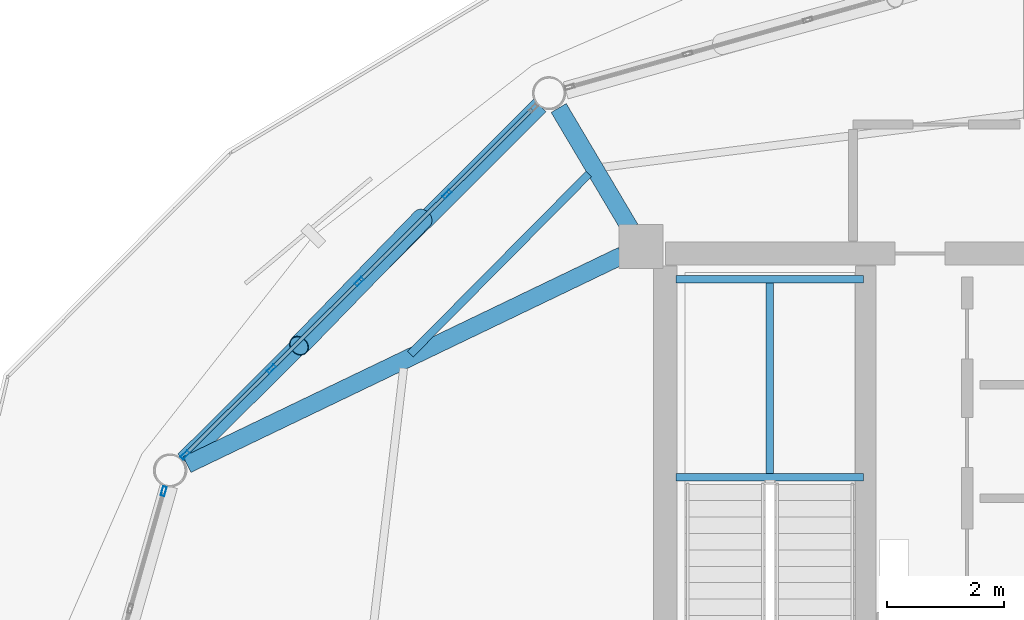
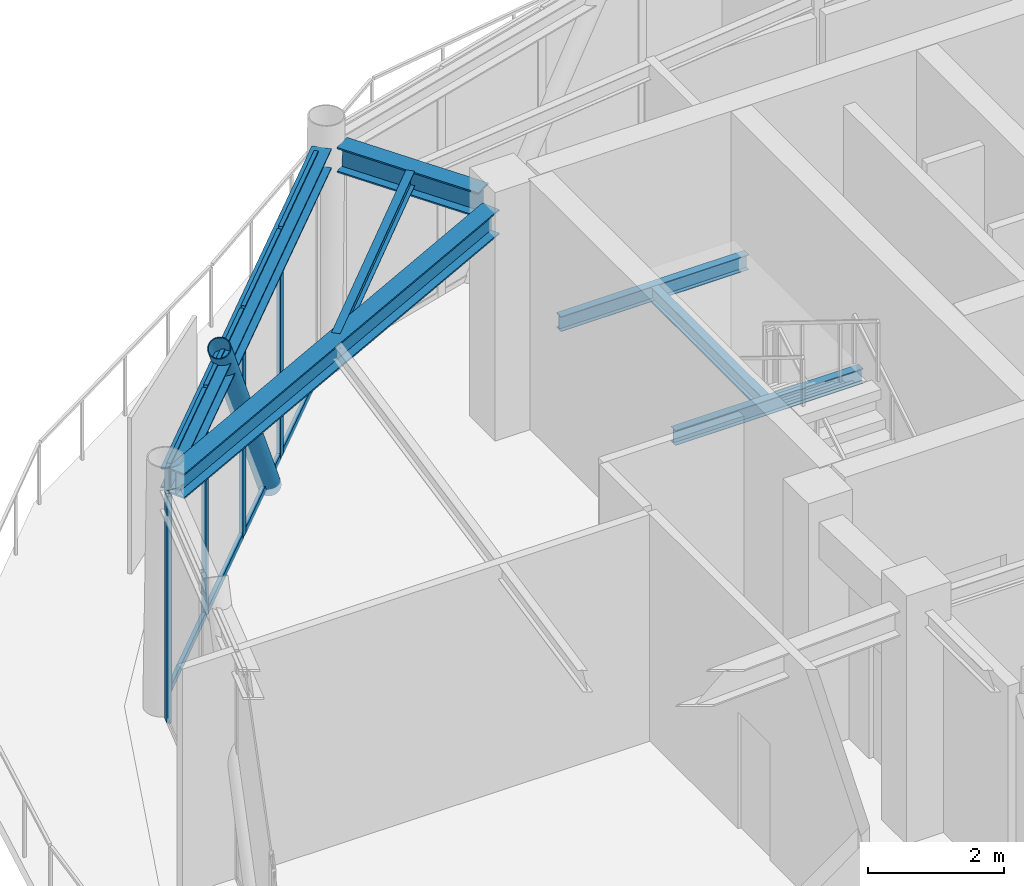
# One storey, part 11 of 24: 14 members, 7 beams, 2 elements without a shape of their own.
"""IFC4 building model written with IfcOpenShell, lengths in metres."""

from ifc_helpers import new_model, si_unit, direction, frame, origin, origin_2d, place, context, subcontext, project, spatial, hollow_rectangle, hollow_circle, i_section, extrude, material, layer, layer_set, material_profile, profile_set, type_object, element, aggregate, save


model = new_model("IFC4")

# Units and contexts
model_context = context("Model", 3, precision=1e-05, world=origin(), true_north=direction((0.0, 1.0)))
body_context = subcontext(model_context, "Body", "Model", "MODEL_VIEW")
ifc_project = project(units=[si_unit("LENGTHUNIT", "METRE"), si_unit("AREAUNIT", "SQUARE_METRE"), si_unit("VOLUMEUNIT", "CUBIC_METRE"), si_unit("PLANEANGLEUNIT", "RADIAN"), si_unit("MASSUNIT", "GRAM", prefix="KILO")], contexts=[model_context])

# Site, building, storey
site_placement = place(None, origin())
site = spatial("IfcSite", under=ifc_project, at=site_placement, CompositionType="ELEMENT")
building_placement = place(site_placement, origin())
building = spatial("IfcBuilding", under=site, at=building_placement, Name="Varnakorn Sky Granary", CompositionType="ELEMENT")
storey_placement = place(building_placement, frame((0.0, 0.0, 285.0)))
storey = spatial("IfcBuildingStorey", under=building, at=storey_placement, Name="L73", CompositionType="ELEMENT", Elevation=285.0)

# Beams
ifc_material_1 = material(Name="Steel S355JR", Category="steel")
ifc_material_profile_1 = material_profile(ifc_material_1, i_section(OverallWidth=0.135009765625, OverallDepth=0.27001953125, WebThickness=0.006591796875, FlangeThickness=0.01025390625, at=origin_2d()), Name="IPE 270")
ifc_profile_set_1 = profile_set([ifc_material_profile_1], Name="Steel S355JR")
beam_type_1 = type_object("IfcBeamType", Name="BM-LND-270", PredefinedType="BEAM", material=ifc_profile_set_1)
for number, where, z_axis, x_axis, name in (
    (1, (-1.820068359375, 8.679931640625, 1.9150390625), (1.0, 0.0, 0.0), (0.0, 1.0, 0.0), "Stair ST-1 Landing Trimmer Beam A L73-1"),
    (2, (-1.820068359375, 12.06005859375, 1.9150390625), (1.0, 0.0, 0.0), (0.0, 1.0, 0.0), "Stair ST-1 Landing Trimmer Beam B L73-1"),
):
    element("IfcBeam", number, at=place(storey_placement, frame(where, z_axis=z_axis, x_axis=x_axis)), inside=storey, type_object=beam_type_1, Name=name, PredefinedType="BEAM", context=body_context, shape_type="SweptSolid", body=[
        extrude(i_section(OverallWidth=0.135009765625, OverallDepth=0.27001953125, WebThickness=0.006591796875, FlangeThickness=0.01025390625, at=origin_2d()), origin(), (0.0, 0.0, 1.0), 3.199951171875),
    ])
beam_1_placement = place(storey_placement, frame((-0.219970703125, 8.679931640625, 1.9150390625), z_axis=(0.0, 1.0, 0.0), x_axis=(-1.0, 0.0, 0.0)))
element("IfcBeam", 3, at=beam_1_placement, inside=storey, type_object=beam_type_1, Name="Stair ST-1 Landing Cross Beam C L73-1", PredefinedType="BEAM", context=body_context, shape_type="SweptSolid", body=[
    extrude(i_section(OverallWidth=0.135009765625, OverallDepth=0.27001953125, WebThickness=0.006591796875, FlangeThickness=0.01025390625, at=origin_2d()), origin(), (0.0, 0.0, 1.0), 3.380126953125),
])
ifc_material_profile_2 = material_profile(ifc_material_1, i_section(OverallWidth=0.300048828125, OverallDepth=0.449951171875, WebThickness=0.013916015625, FlangeThickness=0.02587890625, at=origin_2d()), Name="HE 450 B")
ifc_profile_set_2 = profile_set([ifc_material_profile_2], Name="Steel S355JR")
beam_type_2 = type_object("IfcBeamType", Name="BM-RAD-Z5", PredefinedType="BEAM", material=ifc_profile_set_2)
beam_2_placement = place(storey_placement, frame((-2.60107421875, 12.92529296875, 3.85498046875), z_axis=(-0.510230042301, 0.860037966565, 0.0), x_axis=(-0.860037966565, -0.510230042301, 0.0)))
element("IfcBeam", 4, at=beam_2_placement, inside=storey, type_object=beam_type_2, Name="Radial Floor Girder RG05 L73", PredefinedType="BEAM", context=body_context, shape_type="SweptSolid", body=[
    extrude(i_section(OverallWidth=0.300048828125, OverallDepth=0.449951171875, WebThickness=0.013916015625, FlangeThickness=0.02587890625, at=origin_2d()), origin(), (0.0, 0.0, 1.0), 2.393798828125),
])
beam_3_placement = place(storey_placement, frame((-2.739990234375, 12.46630859375, 3.85498046875), z_axis=(-0.901316276424, -0.433161597851, 0.0), x_axis=(0.433161597851, -0.901316276424, 0.0)))
element("IfcBeam", 5, at=beam_3_placement, inside=storey, type_object=beam_type_2, Name="Radial Floor Girder RG06 L73", PredefinedType="BEAM", context=body_context, shape_type="SweptSolid", body=[
    extrude(i_section(OverallWidth=0.300048828125, OverallDepth=0.449951171875, WebThickness=0.013916015625, FlangeThickness=0.02587890625, at=origin_2d()), origin(), (0.0, 0.0, 1.0), 8.23974609375),
])
ifc_material_profile_3 = material_profile(ifc_material_1, i_section(OverallWidth=0.135009765625, OverallDepth=0.27001953125, WebThickness=0.006591796875, FlangeThickness=0.01025390625, at=origin_2d()), Name="IPE 270")
ifc_profile_set_3 = profile_set([ifc_material_profile_3], Name="Steel S355JR")
beam_type_3 = type_object("IfcBeamType", Name="BM-SEC-Z5", PredefinedType="BEAM", material=ifc_profile_set_3)
beam_4_placement = place(storey_placement, frame((-3.310302734375, 13.855224609375, 3.945068359375), z_axis=(-0.70365629949, -0.710540507071, 0.0), x_axis=(0.710540507071, -0.70365629949, 0.0)))
element("IfcBeam", 6, at=beam_4_placement, inside=storey, type_object=beam_type_3, Name="Secondary Floor Chord Beam MSB05 L73", PredefinedType="BEAM", context=body_context, shape_type="SweptSolid", body=[
    extrude(i_section(OverallWidth=0.135009765625, OverallDepth=0.27001953125, WebThickness=0.006591796875, FlangeThickness=0.01025390625, at=origin_2d()), origin(), (0.0, 0.0, 1.0), 4.32666015625),
])
ifc_material_profile_4 = material_profile(ifc_material_1, i_section(OverallWidth=0.300048828125, OverallDepth=0.360107421875, WebThickness=0.012451171875, FlangeThickness=0.0224609375, at=origin_2d()), Name="HE 360 B")
ifc_profile_set_4 = profile_set([ifc_material_profile_4], Name="Steel S355JR")
beam_type_4 = type_object("IfcBeamType", Name="BM-SPD-Z5", PredefinedType="SPANDREL", material=ifc_profile_set_4)
beam_5_placement = place(storey_placement, frame((-4.144775390625, 15.02490234375, 3.89990234375), z_axis=(-0.708116637558, -0.706095480522, 0.0), x_axis=(0.706095480522, -0.708116637558, 0.0)))
element("IfcBeam", 7, at=beam_5_placement, inside=storey, type_object=beam_type_4, Name="Perimeter Spandrel Ring Beam RB05 L73", PredefinedType="SPANDREL", context=body_context, shape_type="SweptSolid", body=[
    extrude(i_section(OverallWidth=0.300048828125, OverallDepth=0.360107421875, WebThickness=0.012451171875, FlangeThickness=0.0224609375, at=origin_2d()), origin(), (0.0, 0.0, 1.0), 8.576171875),
])

# Curtain wall, members
ifc_material_2 = material(Name="Anodised Bronze Aluminium Alloy 6063-T6", Category="aluminium")
ifc_layer = layer(ifc_material_2, 0.159912109375, Name="Anodised Bronze Aluminium Alloy 6063-T6")
ifc_layer_set = layer_set([ifc_layer], Name="Anodised Bronze Aluminium Alloy 6063-T6")
curtain_wall_type = type_object("IfcCurtainWallType", Name="CW-OFF-1", PredefinedType="USERDEFINED", material=ifc_layer_set)
curtain_wall_1_placement = place(storey_placement, origin())
curtain_wall_1 = element("IfcCurtainWall", 8, at=curtain_wall_1_placement, inside=storey, type_object=curtain_wall_type, Name="Unitised Curtain Wall CW6 CW-L73-B05", ObjectType="CURTAIN WALL", PredefinedType="USERDEFINED")
ifc_material_profile_5 = material_profile(ifc_material_2, hollow_rectangle(XDim=0.06494140625, YDim=0.159912109375, WallThickness=0.00341796875, at=origin_2d()), Name="ALU MULL 65x160")
ifc_profile_set_5 = profile_set([ifc_material_profile_5], Name="Anodised Bronze Aluminium Alloy 6063-T6")
member_type_1 = type_object("IfcMemberType", Name="CW-OFF-1-MULL", PredefinedType="MULLION", material=ifc_profile_set_5)
member_1_placement = place(storey_placement, frame((-10.2001953125, 9.06201171875, 0.0), z_axis=(0.0, 0.0, 1.0), x_axis=(-0.705418921213, 0.708790621831, 0.0)))
member_1 = element("IfcMember", 9, at=member_1_placement, type_object=member_type_1, Name="CW6 mullion 1", PredefinedType="MULLION", context=body_context, shape_type="SweptSolid", body=[
    extrude(hollow_rectangle(XDim=0.06494140625, YDim=0.159912109375, WallThickness=0.00341796875, at=origin_2d()), origin(), (0.0, 0.0, 1.0), 4.080078125),
])
member_2_placement = place(storey_placement, frame((-8.7255859375, 10.52978515625, 0.0), z_axis=(0.0, 0.0, 1.0), x_axis=(-0.705418921213, 0.708790621831, 0.0)))
member_2 = element("IfcMember", 10, at=member_2_placement, type_object=member_type_1, Name="CW6 mullion 2", PredefinedType="MULLION", context=body_context, shape_type="SweptSolid", body=[
    extrude(hollow_rectangle(XDim=0.06494140625, YDim=0.159912109375, WallThickness=0.00341796875, at=origin_2d()), origin(), (0.0, 0.0, 1.0), 4.080078125),
])
member_3_placement = place(storey_placement, frame((-7.227783203125, 12.020263671875, 0.0), z_axis=(0.0, 0.0, 1.0), x_axis=(-0.705418921213, 0.708790621831, 0.0)))
member_3 = element("IfcMember", 11, at=member_3_placement, type_object=member_type_1, Name="CW6 mullion 3", PredefinedType="MULLION", context=body_context, shape_type="SweptSolid", body=[
    extrude(hollow_rectangle(XDim=0.06494140625, YDim=0.159912109375, WallThickness=0.00341796875, at=origin_2d()), origin(), (0.0, 0.0, 1.0), 4.080078125),
])
member_4_placement = place(storey_placement, frame((-5.72998046875, 13.510986328125, 0.0), z_axis=(0.0, 0.0, 1.0), x_axis=(-0.705418921213, 0.708790621831, 0.0)))
member_4 = element("IfcMember", 12, at=member_4_placement, type_object=member_type_1, Name="CW6 mullion 4", PredefinedType="MULLION", context=body_context, shape_type="SweptSolid", body=[
    extrude(hollow_rectangle(XDim=0.06494140625, YDim=0.159912109375, WallThickness=0.00341796875, at=origin_2d()), origin(), (0.0, 0.0, 1.0), 4.080078125),
])

# Curtain wall, member
curtain_wall_2_placement = place(storey_placement, origin())
curtain_wall_2 = element("IfcCurtainWall", 13, at=curtain_wall_2_placement, inside=storey, type_object=curtain_wall_type, Name="Unitised Curtain Wall CW6 CW-L73-B06", ObjectType="CURTAIN WALL", PredefinedType="USERDEFINED")
member_5_placement = place(storey_placement, frame((-10.565673828125, 8.441650390625, 0.0), z_axis=(0.0, 0.0, 1.0), x_axis=(-0.96181256174, 0.273708962366, 0.0)))
member_5 = element("IfcMember", 14, at=member_5_placement, type_object=member_type_1, Name="CW6 mullion 5", PredefinedType="MULLION", context=body_context, shape_type="SweptSolid", body=[
    extrude(hollow_rectangle(XDim=0.06494140625, YDim=0.159912109375, WallThickness=0.00341796875, at=origin_2d()), origin(), (0.0, 0.0, 1.0), 4.080078125),
])
aggregate(curtain_wall_2, [member_5])

# Member
ifc_material_profile_6 = material_profile(ifc_material_2, hollow_rectangle(XDim=0.06494140625, YDim=0.1201171875, WallThickness=0.00341796875, at=origin_2d()), Name="ALU TRAN 65x120")
ifc_profile_set_6 = profile_set([ifc_material_profile_6], Name="Anodised Bronze Aluminium Alloy 6063-T6")
member_type_2 = type_object("IfcMemberType", Name="CW-OFF-1-TRAN", PredefinedType="USERDEFINED", material=ifc_profile_set_6)
member_6_placement = place(storey_placement, frame((-10.17724609375, 9.0849609375, 0.032470703125), z_axis=(0.708800442822, 0.705409053143, 0.0), x_axis=(-0.705409053143, 0.708800442822, 0.0)))
member_6 = element("IfcMember", 15, at=member_6_placement, type_object=member_type_2, Name="CW6 transom 1.1", ObjectType="TRANSOM", PredefinedType="USERDEFINED", context=body_context, shape_type="SweptSolid", body=[
    extrude(hollow_rectangle(XDim=0.06494140625, YDim=0.1201171875, WallThickness=0.00341796875, at=origin_2d()), origin(), (0.0, 0.0, 1.0), 2.015625),
])

member_7_placement = place(storey_placement, frame((-10.17724609375, 9.0849609375, 4.047607421875), z_axis=(0.708800442822, 0.705409053143, 0.0), x_axis=(-0.705409053143, 0.708800442822, 0.0)))
member_7 = element("IfcMember", 16, at=member_7_placement, type_object=member_type_2, Name="CW6 transom 1.2", ObjectType="TRANSOM", PredefinedType="USERDEFINED", context=body_context, shape_type="SweptSolid", body=[
    extrude(hollow_rectangle(XDim=0.06494140625, YDim=0.1201171875, WallThickness=0.00341796875, at=origin_2d()), origin(), (0.0, 0.0, 1.0), 2.015625),
])

member_8_placement = place(storey_placement, frame((-8.702392578125, 10.552490234375, 0.032470703125), z_axis=(0.708773636482, 0.705435987336, 0.0), x_axis=(-0.705435987336, 0.708773636482, 0.0)))
member_8 = element("IfcMember", 17, at=member_8_placement, type_object=member_type_2, Name="CW6 transom 2.1", ObjectType="TRANSOM", PredefinedType="USERDEFINED", context=body_context, shape_type="SweptSolid", body=[
    extrude(hollow_rectangle(XDim=0.06494140625, YDim=0.1201171875, WallThickness=0.00341796875, at=origin_2d()), origin(), (0.0, 0.0, 1.0), 2.048095703125),
])

member_9_placement = place(storey_placement, frame((-8.702392578125, 10.552490234375, 4.047607421875), z_axis=(0.708773636482, 0.705435987336, 0.0), x_axis=(-0.705435987336, 0.708773636482, 0.0)))
member_9 = element("IfcMember", 18, at=member_9_placement, type_object=member_type_2, Name="CW6 transom 2.2", ObjectType="TRANSOM", PredefinedType="USERDEFINED", context=body_context, shape_type="SweptSolid", body=[
    extrude(hollow_rectangle(XDim=0.06494140625, YDim=0.1201171875, WallThickness=0.00341796875, at=origin_2d()), origin(), (0.0, 0.0, 1.0), 2.048095703125),
])

member_10_placement = place(storey_placement, frame((-7.20458984375, 12.043212890625, 0.032470703125), z_axis=(0.708773636482, 0.705435987336, 0.0), x_axis=(-0.705435987336, 0.708773636482, 0.0)))
member_10 = element("IfcMember", 19, at=member_10_placement, type_object=member_type_2, Name="CW6 transom 3.1", ObjectType="TRANSOM", PredefinedType="USERDEFINED", context=body_context, shape_type="SweptSolid", body=[
    extrude(hollow_rectangle(XDim=0.06494140625, YDim=0.1201171875, WallThickness=0.00341796875, at=origin_2d()), origin(), (0.0, 0.0, 1.0), 2.048095703125),
])

member_11_placement = place(storey_placement, frame((-7.20458984375, 12.043212890625, 4.047607421875), z_axis=(0.708773636482, 0.705435987336, 0.0), x_axis=(-0.705435987336, 0.708773636482, 0.0)))
member_11 = element("IfcMember", 20, at=member_11_placement, type_object=member_type_2, Name="CW6 transom 3.2", ObjectType="TRANSOM", PredefinedType="USERDEFINED", context=body_context, shape_type="SweptSolid", body=[
    extrude(hollow_rectangle(XDim=0.06494140625, YDim=0.1201171875, WallThickness=0.00341796875, at=origin_2d()), origin(), (0.0, 0.0, 1.0), 2.048095703125),
])

member_12_placement = place(storey_placement, frame((-5.706787109375, 13.533935546875, 0.032470703125), z_axis=(0.708800442822, 0.705409053143, 0.0), x_axis=(-0.705409053143, 0.708800442822, 0.0)))
member_12 = element("IfcMember", 21, at=member_12_placement, type_object=member_type_2, Name="CW6 transom 4.1", ObjectType="TRANSOM", PredefinedType="USERDEFINED", context=body_context, shape_type="SweptSolid", body=[
    extrude(hollow_rectangle(XDim=0.06494140625, YDim=0.1201171875, WallThickness=0.00341796875, at=origin_2d()), origin(), (0.0, 0.0, 1.0), 2.015625),
])

member_13_placement = place(storey_placement, frame((-5.706787109375, 13.533935546875, 4.047607421875), z_axis=(0.708800442822, 0.705409053143, 0.0), x_axis=(-0.705409053143, 0.708800442822, 0.0)))
member_13 = element("IfcMember", 22, at=member_13_placement, type_object=member_type_2, Name="CW6 transom 4.2", ObjectType="TRANSOM", PredefinedType="USERDEFINED", context=body_context, shape_type="SweptSolid", body=[
    extrude(hollow_rectangle(XDim=0.06494140625, YDim=0.1201171875, WallThickness=0.00341796875, at=origin_2d()), origin(), (0.0, 0.0, 1.0), 2.015625),
])

aggregate(curtain_wall_1, [member_1, member_2, member_3, member_4, member_6, member_7, member_8, member_9, member_10, member_11, member_12, member_13])

ifc_material_3 = material(Name="Steel S460M", Category="steel")
ifc_material_profile_7 = material_profile(ifc_material_3, hollow_circle(Radius=0.177734375, WallThickness=0.01416015625, at=origin_2d()), Name="CHS 355.6x14")
ifc_profile_set_7 = profile_set([ifc_material_profile_7], Name="Steel S460M")
member_type_3 = type_object("IfcMemberType", Name="MB-DIAG-T5", PredefinedType="BRACE", material=ifc_profile_set_7)
member_14_placement = place(storey_placement, frame((-6.14892578125, 13.093994140625, -0.1298828125), z_axis=(-0.387460166432, -0.39877418288, 0.831176136867), x_axis=(0.717207887051, -0.696859273277, 0.0)))
element("IfcMember", 23, at=member_14_placement, inside=storey, type_object=member_type_3, Name="Perimeter CHS Diagrid Brace DG05 L73", PredefinedType="BRACE", context=body_context, shape_type="SweptSolid", body=[
    extrude(hollow_circle(Radius=0.177734375, WallThickness=0.01416015625, at=origin_2d()), origin(), (0.0, 0.0, 1.0), 5.437744140625),
])

save(model, "model.ifc")
